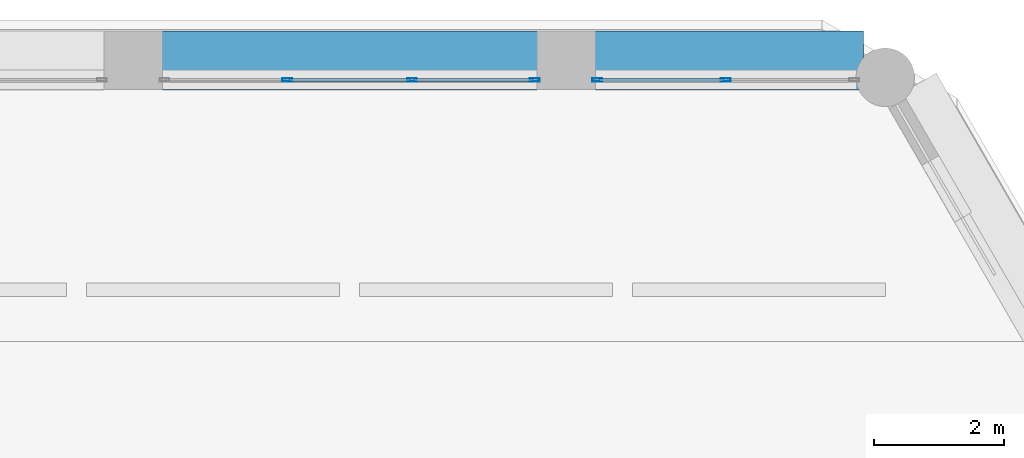
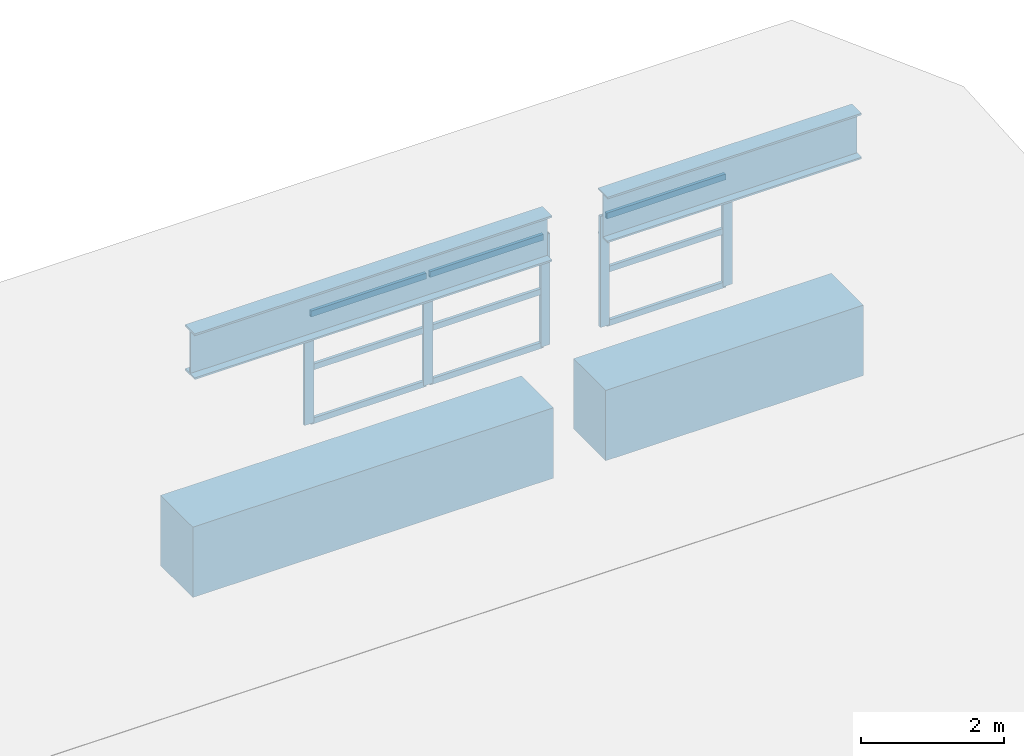
# One storey, part 4 of 7: 16 members, 2 beams, 2 elements without a shape of their own.
"""IFC4 building model written with IfcOpenShell, lengths in metres."""

import ifcopenshell
import ifcopenshell.guid

model = None  # the IFC model being written
_history = None  # IfcOwnerHistory: only IFC2X3 demands one
_inside = {}  # id of a spatial element -> (the spatial element, [elements in it])
_under = {}  # id of a project, library or spatial element -> (it, [spatial elements below it])
_declared = {}  # id of a project -> (the project, [libraries it declares])
_typed = {}  # id of a type object -> (the type object, [elements of that type])
_made_of = {}  # id of a material, layer set ... -> (it, [elements and type objects made of it])


def new_model(schema):
    """Start an empty IFC model of exactly this schema.

    Asked for "IFC4X3", IfcOpenShell would pick the latest addendum, in which some entities
    have other attributes; the version numbers below select the first issue.
    IFC2X3 requires an IfcOwnerHistory on every rooted entity: one is made here for all.
    """
    global model, _history
    if schema == "IFC4X3":
        model = ifcopenshell.file(schema_version=(4, 3, 0, 0))
    else:
        model = ifcopenshell.file(schema=schema)
    _inside.clear()
    _under.clear()
    _declared.clear()
    _typed.clear()
    _made_of.clear()
    _history = None
    if model.schema == "IFC2X3":
        org = make("IfcOrganization", Name="unknown")
        user = make(
            "IfcPersonAndOrganization",
            ThePerson=make("IfcPerson", FamilyName="unknown"),
            TheOrganization=org,
        )
        app = make(
            "IfcApplication",
            ApplicationDeveloper=org,
            Version="unknown",
            ApplicationFullName="unknown",
            ApplicationIdentifier="unknown",
        )
        _history = make(
            "IfcOwnerHistory",
            OwningUser=user,
            OwningApplication=app,
            ChangeAction="ADDED",
            CreationDate=0,
        )
    return model


def make(cls, **values):
    """One entity of the class cls with the attributes given. An attribute that is None is left unset."""
    return model.create_entity(
        cls, **{name: value for name, value in values.items() if value is not None}
    )


def rooted(cls, **values):
    """An entity with a GlobalId (a new one), such as an element, a storey or a relation."""
    return make(cls, GlobalId=ifcopenshell.guid.new(), OwnerHistory=_history, **values)


def si_unit(unit_type, name, prefix=None):
    """IfcSIUnit, for example si_unit("LENGTHUNIT", "METRE", prefix="MILLI")."""
    return make("IfcSIUnit", UnitType=unit_type, Prefix=prefix, Name=name)


def assignment(units):
    """IfcUnitAssignment: the units of a project."""
    return None if units is None else make("IfcUnitAssignment", Units=units)


def point(xyz):
    """IfcCartesianPoint."""
    return None if xyz is None else make("IfcCartesianPoint", Coordinates=xyz)


def direction(xyz):
    """IfcDirection."""
    return None if xyz is None else make("IfcDirection", DirectionRatios=xyz)


def frame(location, z_axis=None, x_axis=None):
    """IfcAxis2Placement3D, a coordinate frame: its origin and axes. An axis left out is left unset."""
    return make(
        "IfcAxis2Placement3D",
        Location=point(location),
        Axis=direction(z_axis),
        RefDirection=direction(x_axis),
    )


def frame_2d(location, x_axis=None):
    """IfcAxis2Placement2D, a coordinate frame in the plane: its origin and x axis."""
    return make(
        "IfcAxis2Placement2D", Location=point(location), RefDirection=direction(x_axis)
    )


def origin():
    """The frame at (0, 0, 0) with its axes left unset."""
    return frame((0.0, 0.0, 0.0))


def origin_2d():
    """The frame at (0, 0) in the plane with its x axis left unset."""
    return frame_2d((0.0, 0.0))


def place(relative_to, where):
    """IfcLocalPlacement: puts the frame where relative to a parent placement (None: the world)."""
    return make(
        "IfcLocalPlacement", PlacementRelTo=relative_to, RelativePlacement=where
    )


def context(
    kind, dimensions, precision=None, world=None, true_north=None, identifier=None
):
    """IfcGeometricRepresentationContext, for example the 3D "Model" context."""
    return make(
        "IfcGeometricRepresentationContext",
        ContextIdentifier=identifier,
        ContextType=kind,
        CoordinateSpaceDimension=dimensions,
        Precision=precision,
        WorldCoordinateSystem=world,
        TrueNorth=true_north,
    )


def subcontext(parent, identifier, kind, view, scale=None):
    """IfcGeometricRepresentationSubContext, for example "Body" below "Model"."""
    return make(
        "IfcGeometricRepresentationSubContext",
        ContextIdentifier=identifier,
        ContextType=kind,
        ParentContext=parent,
        TargetScale=scale,
        TargetView=view,
    )


def project(units=None, contexts=None):
    """IfcProject with its units and contexts."""
    return rooted(
        "IfcProject",
        Name="project",
        RepresentationContexts=contexts,
        UnitsInContext=assignment(units),
    )


def spatial(cls, under=None, at=None, **own):
    """A site, building, storey or space (cls), placed at a placement, below another one or the project."""
    s = rooted(cls, ObjectPlacement=at, **own)
    if under is not None:
        _under.setdefault(under.id(), (under, []))[1].append(s)
    return s


def profile(cls, at=None, kind="AREA", **sizes):
    """A parametric profile (cls). Its sizes go by their IFC names, for example OverallWidth=200.0."""
    return make(cls, ProfileType=kind, Position=at, **sizes)


def rectangle(**sizes):
    """IfcRectangleProfileDef."""
    return profile("IfcRectangleProfileDef", **sizes)


def hollow_rectangle(**sizes):
    """IfcRectangleHollowProfileDef."""
    return profile("IfcRectangleHollowProfileDef", **sizes)


def i_section(**sizes):
    """IfcIShapeProfileDef."""
    return profile("IfcIShapeProfileDef", **sizes)


def extrude(swept, where, along, depth):
    """IfcExtrudedAreaSolid: the profile swept, set in the frame where, extruded along a direction by depth."""
    return make(
        "IfcExtrudedAreaSolid",
        SweptArea=swept,
        Position=where,
        ExtrudedDirection=direction(along),
        Depth=depth,
    )


def shape(context_of_items, identifier, shape_type, items):
    """IfcShapeRepresentation: the items that make up one representation, for example the "Body"."""
    return make(
        "IfcShapeRepresentation",
        ContextOfItems=context_of_items,
        RepresentationIdentifier=identifier,
        RepresentationType=shape_type,
        Items=items,
    )


def material(Name=None, Category=None):
    """IfcMaterial."""
    return make("IfcMaterial", Name=Name, Category=Category)


def material_profile(
    of_material, cross_section, Name=None, Category=None, Priority=None
):
    """IfcMaterialProfile: a cross section and its material."""
    return make(
        "IfcMaterialProfile",
        Name=Name,
        Material=of_material,
        Profile=cross_section,
        Priority=Priority,
        Category=Category,
    )


def profile_set(profiles, Name=None, composite=None):
    """IfcMaterialProfileSet."""
    return make(
        "IfcMaterialProfileSet",
        Name=Name,
        MaterialProfiles=profiles,
        CompositeProfile=composite,
    )


def made_of(thing, what):
    """Note that an element or type object is made of a material, layer set ...; save() writes the relation."""
    if what is not None:
        _made_of.setdefault(what.id(), (what, []))[1].append(thing)
    return thing


def type_object(cls, material=None, **own):
    """A type object (cls), such as IfcWallType, which elements share."""
    return made_of(rooted(cls, **own), material)


def element(
    cls,
    number,
    at=None,
    inside=None,
    cuts=None,
    type_object=None,
    material=None,
    context=None,
    identifier="Body",
    shape_type=None,
    held_by="IfcProductDefinitionShape",
    body=None,
    shapes=None,
    **own,
):
    """One element of the class cls, such as IfcWall. Its Tag is "e" and its number.

    at: its placement. inside: the storey or other place that contains it. cuts: it is an
    opening in that element (IfcRelVoidsElement). A single representation is given by context,
    identifier, shape_type and body (its items); several are given by shapes. held_by: the class
    of the entity that holds the representations. save() writes the other relations.
    """
    e = rooted(cls, Tag="e%d" % number, ObjectPlacement=at, **own)
    if body is not None:
        shapes = [shape(context, identifier, shape_type, body)]
    if shapes is not None:
        e.Representation = make(held_by, Representations=shapes)
    if inside is not None:
        _inside.setdefault(inside.id(), (inside, []))[1].append(e)
    if cuts is not None:
        rooted(
            "IfcRelVoidsElement", RelatingBuildingElement=cuts, RelatedOpeningElement=e
        )
    if type_object is not None:
        _typed.setdefault(type_object.id(), (type_object, []))[1].append(e)
    return made_of(e, material)


def aggregate(whole, parts):
    """IfcRelAggregates: a whole, such as a stair, and the parts it consists of."""
    return rooted("IfcRelAggregates", RelatingObject=whole, RelatedObjects=parts)


def save(model, path):
    """Write the relations noted so far, then the file.

    IfcRelAggregates (storeys below a building ...), IfcRelContainedInSpatialStructure (elements
    in a storey), IfcRelDefinesByType, IfcRelAssociatesMaterial and IfcRelDeclares: one each for
    every whole, place, type object, material and project.
    """
    for whole, parts in _under.values():
        aggregate(whole, parts)
    for where, things in _inside.values():
        rooted(
            "IfcRelContainedInSpatialStructure",
            RelatedElements=things,
            RelatingStructure=where,
        )
    for kind, things in _typed.values():
        rooted("IfcRelDefinesByType", RelatedObjects=things, RelatingType=kind)
    for what, things in _made_of.values():
        rooted("IfcRelAssociatesMaterial", RelatedObjects=things, RelatingMaterial=what)
    for by, libraries in _declared.values():
        rooted("IfcRelDeclares", RelatingContext=by, RelatedDefinitions=libraries)
    model.write(path)


model = new_model("IFC4")

# Units and contexts
model_context = context("Model", 3, precision=1e-05, world=origin(), true_north=direction((0.0, 1.0)))
body_context = subcontext(model_context, "Body", "Model", "MODEL_VIEW")
ifc_project = project(units=[si_unit("LENGTHUNIT", "METRE"), si_unit("AREAUNIT", "SQUARE_METRE"), si_unit("VOLUMEUNIT", "CUBIC_METRE"), si_unit("PLANEANGLEUNIT", "RADIAN"), si_unit("MASSUNIT", "GRAM", prefix="KILO")], contexts=[model_context])

# Site, building, storey
site_placement = place(None, origin())
site = spatial("IfcSite", under=ifc_project, at=site_placement, CompositionType="ELEMENT")
building_placement = place(site_placement, origin())
building = spatial("IfcBuilding", under=site, at=building_placement, Name="Ostrander Bayou Hotel Tower", CompositionType="ELEMENT")
storey_placement = place(building_placement, frame((0.0, 0.0, 302.0)))
storey = spatial("IfcBuildingStorey", under=building, at=storey_placement, Name="Roof 74", CompositionType="ELEMENT", Elevation=302.0)

# Members
ifc_material_1 = material(Name="Steel ASTM A992", Category="steel")
ifc_material_profile_1 = material_profile(ifc_material_1, i_section(OverallWidth=0.26708984375, OverallDepth=0.779052734375, WebThickness=0.0166015625, FlangeThickness=0.030029296875, at=origin_2d()))
ifc_profile_set_1 = profile_set([ifc_material_profile_1], Name="Steel ASTM A992")
member_type_1 = type_object("IfcMemberType", Name="CR2 crown rafter W30x148", PredefinedType="RAFTER", material=ifc_profile_set_1)
member_1_placement = place(storey_placement, frame((7.875732421875, 16.530029296875, 2.896240234375), z_axis=(-1.0, 0.0, 0.0), x_axis=(0.0, -1.0, 0.0)))
element("IfcMember", 1, at=member_1_placement, inside=storey, type_object=member_type_1, Name="CR2 N 1", PredefinedType="RAFTER", context=body_context, shape_type="SweptSolid", body=[
    extrude(i_section(OverallWidth=0.26708984375, OverallDepth=0.779052734375, WebThickness=0.0166015625, FlangeThickness=0.030029296875, at=origin_2d()), origin(), (0.0, 0.0, 1.0), 4.096435546875),
])
member_2_placement = place(storey_placement, frame((2.87939453125, 16.530029296875, 2.896240234375), z_axis=(-1.0, 0.0, 0.0), x_axis=(0.0, -1.0, 0.0)))
element("IfcMember", 2, at=member_2_placement, inside=storey, type_object=member_type_1, Name="CR2 N 2", PredefinedType="RAFTER", context=body_context, shape_type="SweptSolid", body=[
    extrude(i_section(OverallWidth=0.26708984375, OverallDepth=0.779052734375, WebThickness=0.0166015625, FlangeThickness=0.030029296875, at=origin_2d()), origin(), (0.0, 0.0, 1.0), 5.7587890625),
])

# Curtain wall, members
ifc_material_2 = material(Name="Aluminium and clear glass", Category="aluminium")
curtain_wall_type = type_object("IfcCurtainWallType", Name="CW-CROWN glazed wall", PredefinedType="NOTDEFINED", material=ifc_material_2)
curtain_wall_1_placement = place(storey_placement, origin())
curtain_wall_1 = element("IfcCurtainWall", 3, at=curtain_wall_1_placement, inside=storey, type_object=curtain_wall_type, Name="CW-CROWN L74:N-1", PredefinedType="NOTDEFINED")
ifc_material_3 = material(Name="Aluminium", Category="aluminium")
ifc_material_profile_2 = material_profile(ifc_material_3, hollow_rectangle(XDim=0.050048828125, YDim=0.14990234375, WallThickness=0.00390625, at=origin_2d()))
ifc_profile_set_2 = profile_set([ifc_material_profile_2], Name="Aluminium")
member_type_2 = type_object("IfcMemberType", Name="CW-CR mullion 50 x 150 mm", PredefinedType="MULLION", material=ifc_profile_set_2)
member_3_placement = place(storey_placement, frame((5.78759765625, 16.550048828125, 1.0), z_axis=(0.0, 0.0, 1.0), x_axis=(0.0, -1.0, 0.0)))
member_3 = element("IfcMember", 4, at=member_3_placement, type_object=member_type_2, Name="CW-CROWN mullion 2", PredefinedType="MULLION", context=body_context, shape_type="SweptSolid", body=[
    extrude(hollow_rectangle(XDim=0.050048828125, YDim=0.14990234375, WallThickness=0.00390625, at=origin_2d()), origin(), (0.0, 0.0, 1.0), 1.8935546875),
])
member_4_placement = place(storey_placement, frame((3.809326171875, 16.550048828125, 1.0), z_axis=(0.0, 0.0, 1.0), x_axis=(0.0, -1.0, 0.0)))
member_4 = element("IfcMember", 5, at=member_4_placement, type_object=member_type_2, Name="CW-CROWN mullion 3", PredefinedType="MULLION", context=body_context, shape_type="SweptSolid", body=[
    extrude(hollow_rectangle(XDim=0.050048828125, YDim=0.14990234375, WallThickness=0.00390625, at=origin_2d()), origin(), (0.0, 0.0, 1.0), 1.8935546875),
])

curtain_wall_2_placement = place(storey_placement, origin())
curtain_wall_2 = element("IfcCurtainWall", 6, at=curtain_wall_2_placement, inside=storey, type_object=curtain_wall_type, Name="CW-CROWN L74:N-2", PredefinedType="NOTDEFINED")
member_5_placement = place(storey_placement, frame((2.849365234375, 16.550048828125, 1.0), z_axis=(0.0, 0.0, 1.0), x_axis=(0.0, -1.0, 0.0)))
member_5 = element("IfcMember", 7, at=member_5_placement, type_object=member_type_2, Name="CW-CROWN mullion 1", PredefinedType="MULLION", context=body_context, shape_type="SweptSolid", body=[
    extrude(hollow_rectangle(XDim=0.050048828125, YDim=0.14990234375, WallThickness=0.00390625, at=origin_2d()), origin(), (0.0, 0.0, 1.0), 1.8935546875),
])
member_6_placement = place(storey_placement, frame((0.959716796875, 16.550048828125, 1.0), z_axis=(0.0, 0.0, 1.0), x_axis=(0.0, -1.0, 0.0)))
member_6 = element("IfcMember", 8, at=member_6_placement, type_object=member_type_2, Name="CW-CROWN mullion 2", PredefinedType="MULLION", context=body_context, shape_type="SweptSolid", body=[
    extrude(hollow_rectangle(XDim=0.050048828125, YDim=0.14990234375, WallThickness=0.00390625, at=origin_2d()), origin(), (0.0, 0.0, 1.0), 1.8935546875),
])
member_7_placement = place(storey_placement, frame((-0.959716796875, 16.550048828125, 1.0), z_axis=(0.0, 0.0, 1.0), x_axis=(0.0, -1.0, 0.0)))
member_7 = element("IfcMember", 9, at=member_7_placement, type_object=member_type_2, Name="CW-CROWN mullion 3", PredefinedType="MULLION", context=body_context, shape_type="SweptSolid", body=[
    extrude(hollow_rectangle(XDim=0.050048828125, YDim=0.14990234375, WallThickness=0.00390625, at=origin_2d()), origin(), (0.0, 0.0, 1.0), 1.8935546875),
])

# Member
ifc_material_4 = material(Name="Aluminium", Category="aluminium")
ifc_material_profile_3 = material_profile(ifc_material_4, hollow_rectangle(XDim=0.050048828125, YDim=0.10009765625, WallThickness=0.00390625, at=origin_2d()))
ifc_profile_set_3 = profile_set([ifc_material_profile_3], Name="Aluminium")
member_type_3 = type_object("IfcMemberType", Name="CW-CR transom 50 x 100 mm", PredefinedType="USERDEFINED", material=ifc_profile_set_3)
member_8_placement = place(storey_placement, frame((5.757568359375, 16.550048828125, 1.030029296875), z_axis=(-1.0, 0.0, 0.0), x_axis=(0.0, -1.0, 0.0)))
member_8 = element("IfcMember", 10, at=member_8_placement, type_object=member_type_3, Name="CW-CROWN transom 2.1", ObjectType="TRANSOM", PredefinedType="USERDEFINED", context=body_context, shape_type="SweptSolid", body=[
    extrude(hollow_rectangle(XDim=0.050048828125, YDim=0.10009765625, WallThickness=0.00390625, at=origin_2d()), origin(), (0.0, 0.0, 1.0), 1.918212890625),
])

member_9_placement = place(storey_placement, frame((5.757568359375, 16.550048828125, 1.94677734375), z_axis=(-1.0, 0.0, 0.0), x_axis=(0.0, -1.0, 0.0)))
member_9 = element("IfcMember", 11, at=member_9_placement, type_object=member_type_3, Name="CW-CROWN transom 2.2", ObjectType="TRANSOM", PredefinedType="USERDEFINED", context=body_context, shape_type="SweptSolid", body=[
    extrude(hollow_rectangle(XDim=0.050048828125, YDim=0.10009765625, WallThickness=0.00390625, at=origin_2d()), origin(), (0.0, 0.0, 1.0), 1.918212890625),
])

member_10_placement = place(storey_placement, frame((5.757568359375, 16.550048828125, 2.863525390625), z_axis=(-1.0, 0.0, 0.0), x_axis=(0.0, -1.0, 0.0)))
member_10 = element("IfcMember", 12, at=member_10_placement, type_object=member_type_3, Name="CW-CROWN transom 2.3", ObjectType="TRANSOM", PredefinedType="USERDEFINED", context=body_context, shape_type="SweptSolid", body=[
    extrude(hollow_rectangle(XDim=0.050048828125, YDim=0.10009765625, WallThickness=0.00390625, at=origin_2d()), origin(), (0.0, 0.0, 1.0), 1.918212890625),
])

aggregate(curtain_wall_1, [member_3, member_4, member_8, member_9, member_10])

member_11_placement = place(storey_placement, frame((2.8193359375, 16.550048828125, 1.030029296875), z_axis=(-1.0, 0.0, 0.0), x_axis=(0.0, -1.0, 0.0)))
member_11 = element("IfcMember", 13, at=member_11_placement, type_object=member_type_3, Name="CW-CROWN transom 1.1", ObjectType="TRANSOM", PredefinedType="USERDEFINED", context=body_context, shape_type="SweptSolid", body=[
    extrude(hollow_rectangle(XDim=0.050048828125, YDim=0.10009765625, WallThickness=0.00390625, at=origin_2d()), origin(), (0.0, 0.0, 1.0), 1.82958984375),
])

member_12_placement = place(storey_placement, frame((2.8193359375, 16.550048828125, 1.94677734375), z_axis=(-1.0, 0.0, 0.0), x_axis=(0.0, -1.0, 0.0)))
member_12 = element("IfcMember", 14, at=member_12_placement, type_object=member_type_3, Name="CW-CROWN transom 1.2", ObjectType="TRANSOM", PredefinedType="USERDEFINED", context=body_context, shape_type="SweptSolid", body=[
    extrude(hollow_rectangle(XDim=0.050048828125, YDim=0.10009765625, WallThickness=0.00390625, at=origin_2d()), origin(), (0.0, 0.0, 1.0), 1.82958984375),
])

member_13_placement = place(storey_placement, frame((2.8193359375, 16.550048828125, 2.863525390625), z_axis=(-1.0, 0.0, 0.0), x_axis=(0.0, -1.0, 0.0)))
member_13 = element("IfcMember", 15, at=member_13_placement, type_object=member_type_3, Name="CW-CROWN transom 1.3", ObjectType="TRANSOM", PredefinedType="USERDEFINED", context=body_context, shape_type="SweptSolid", body=[
    extrude(hollow_rectangle(XDim=0.050048828125, YDim=0.10009765625, WallThickness=0.00390625, at=origin_2d()), origin(), (0.0, 0.0, 1.0), 1.82958984375),
])

member_14_placement = place(storey_placement, frame((0.9296875, 16.550048828125, 1.030029296875), z_axis=(-1.0, 0.0, 0.0), x_axis=(0.0, -1.0, 0.0)))
member_14 = element("IfcMember", 16, at=member_14_placement, type_object=member_type_3, Name="CW-CROWN transom 2.1", ObjectType="TRANSOM", PredefinedType="USERDEFINED", context=body_context, shape_type="SweptSolid", body=[
    extrude(hollow_rectangle(XDim=0.050048828125, YDim=0.10009765625, WallThickness=0.00390625, at=origin_2d()), origin(), (0.0, 0.0, 1.0), 1.859375),
])

member_15_placement = place(storey_placement, frame((0.9296875, 16.550048828125, 1.94677734375), z_axis=(-1.0, 0.0, 0.0), x_axis=(0.0, -1.0, 0.0)))
member_15 = element("IfcMember", 17, at=member_15_placement, type_object=member_type_3, Name="CW-CROWN transom 2.2", ObjectType="TRANSOM", PredefinedType="USERDEFINED", context=body_context, shape_type="SweptSolid", body=[
    extrude(hollow_rectangle(XDim=0.050048828125, YDim=0.10009765625, WallThickness=0.00390625, at=origin_2d()), origin(), (0.0, 0.0, 1.0), 1.859375),
])

member_16_placement = place(storey_placement, frame((0.9296875, 16.550048828125, 2.863525390625), z_axis=(-1.0, 0.0, 0.0), x_axis=(0.0, -1.0, 0.0)))
member_16 = element("IfcMember", 18, at=member_16_placement, type_object=member_type_3, Name="CW-CROWN transom 2.3", ObjectType="TRANSOM", PredefinedType="USERDEFINED", context=body_context, shape_type="SweptSolid", body=[
    extrude(hollow_rectangle(XDim=0.050048828125, YDim=0.10009765625, WallThickness=0.00390625, at=origin_2d()), origin(), (0.0, 0.0, 1.0), 1.859375),
])

aggregate(curtain_wall_2, [member_5, member_6, member_7, member_11, member_12, member_13, member_14, member_15, member_16])

# Beams
ifc_material_5 = material(Name="Concrete f'c 60 MPa", Category="concrete")
ifc_material_profile_4 = material_profile(ifc_material_5, rectangle(XDim=0.89990234375, YDim=1.199951171875, at=origin_2d()))
ifc_profile_set_4 = profile_set([ifc_material_profile_4], Name="Concrete f'c 60 MPa")
beam_type = type_object("IfcBeamType", Name="SP4 spandrel beam 900 x 1200 mm f'c 60 MPa", PredefinedType="SPANDREL", material=ifc_profile_set_4)
beam_1_placement = place(storey_placement, frame((7.90576171875, 16.85009765625, -0.60009765625), z_axis=(-1.0, 0.0, 0.0), x_axis=(0.0, -1.0, 0.0)))
element("IfcBeam", 19, at=beam_1_placement, inside=storey, type_object=beam_type, Name="SP4 L74 N-1", PredefinedType="SPANDREL", context=body_context, shape_type="SweptSolid", body=[
    extrude(rectangle(XDim=0.89990234375, YDim=1.199951171875, at=origin_2d()), origin(), (0.0, 0.0, 1.0), 4.15625),
])
beam_2_placement = place(storey_placement, frame((2.909423828125, 16.85009765625, -0.60009765625), z_axis=(-1.0, 0.0, 0.0), x_axis=(0.0, -1.0, 0.0)))
element("IfcBeam", 20, at=beam_2_placement, inside=storey, type_object=beam_type, Name="SP4 L74 N-2", PredefinedType="SPANDREL", context=body_context, shape_type="SweptSolid", body=[
    extrude(rectangle(XDim=0.89990234375, YDim=1.199951171875, at=origin_2d()), origin(), (0.0, 0.0, 1.0), 5.81884765625),
])

save(model, "model.ifc")
